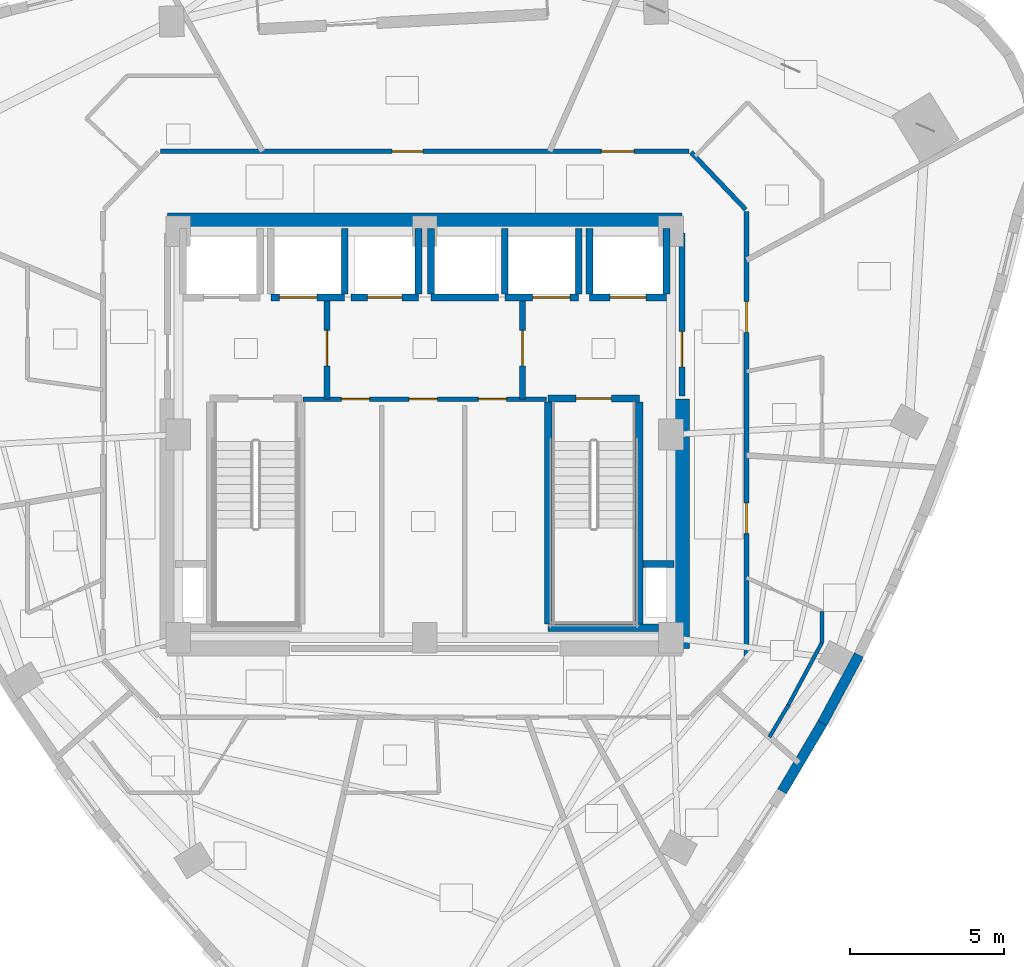
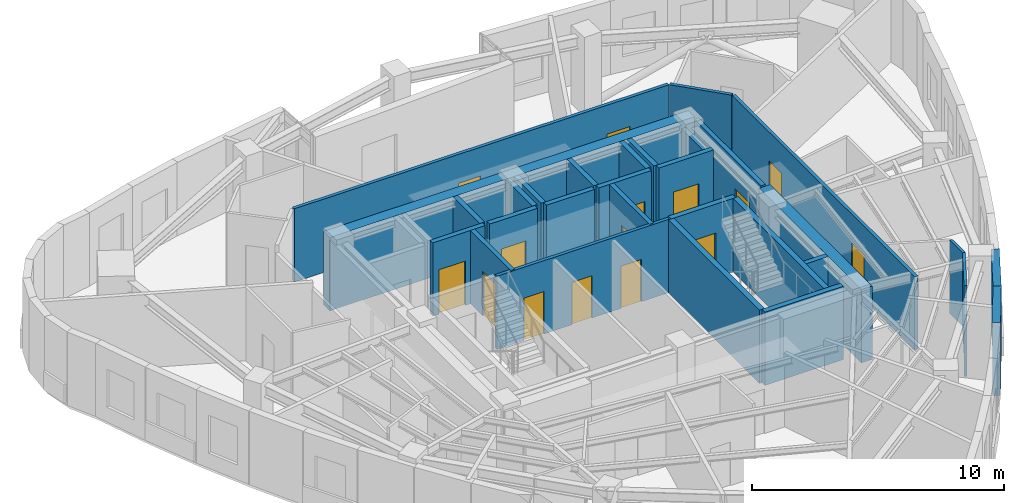
# One storey, part 7 of 12: 31 walls, 15 doors, 15 openings.
"""IFC4 building model written with IfcOpenShell, lengths in metres."""

import ifcopenshell
import ifcopenshell.guid

model = None  # the IFC model being written
_history = None  # IfcOwnerHistory: only IFC2X3 demands one
_inside = {}  # id of a spatial element -> (the spatial element, [elements in it])
_under = {}  # id of a project, library or spatial element -> (it, [spatial elements below it])
_declared = {}  # id of a project -> (the project, [libraries it declares])
_typed = {}  # id of a type object -> (the type object, [elements of that type])
_made_of = {}  # id of a material, layer set ... -> (it, [elements and type objects made of it])


def new_model(schema):
    """Start an empty IFC model of exactly this schema.

    Asked for "IFC4X3", IfcOpenShell would pick the latest addendum, in which some entities
    have other attributes; the version numbers below select the first issue.
    IFC2X3 requires an IfcOwnerHistory on every rooted entity: one is made here for all.
    """
    global model, _history
    if schema == "IFC4X3":
        model = ifcopenshell.file(schema_version=(4, 3, 0, 0))
    else:
        model = ifcopenshell.file(schema=schema)
    _inside.clear()
    _under.clear()
    _declared.clear()
    _typed.clear()
    _made_of.clear()
    _history = None
    if model.schema == "IFC2X3":
        org = make("IfcOrganization", Name="unknown")
        user = make(
            "IfcPersonAndOrganization",
            ThePerson=make("IfcPerson", FamilyName="unknown"),
            TheOrganization=org,
        )
        app = make(
            "IfcApplication",
            ApplicationDeveloper=org,
            Version="unknown",
            ApplicationFullName="unknown",
            ApplicationIdentifier="unknown",
        )
        _history = make(
            "IfcOwnerHistory",
            OwningUser=user,
            OwningApplication=app,
            ChangeAction="ADDED",
            CreationDate=0,
        )
    return model


def make(cls, **values):
    """One entity of the class cls with the attributes given. An attribute that is None is left unset."""
    return model.create_entity(
        cls, **{name: value for name, value in values.items() if value is not None}
    )


def rooted(cls, **values):
    """An entity with a GlobalId (a new one), such as an element, a storey or a relation."""
    return make(cls, GlobalId=ifcopenshell.guid.new(), OwnerHistory=_history, **values)


def si_unit(unit_type, name, prefix=None):
    """IfcSIUnit, for example si_unit("LENGTHUNIT", "METRE", prefix="MILLI")."""
    return make("IfcSIUnit", UnitType=unit_type, Prefix=prefix, Name=name)


def assignment(units):
    """IfcUnitAssignment: the units of a project."""
    return None if units is None else make("IfcUnitAssignment", Units=units)


def point(xyz):
    """IfcCartesianPoint."""
    return None if xyz is None else make("IfcCartesianPoint", Coordinates=xyz)


def direction(xyz):
    """IfcDirection."""
    return None if xyz is None else make("IfcDirection", DirectionRatios=xyz)


def frame(location, z_axis=None, x_axis=None):
    """IfcAxis2Placement3D, a coordinate frame: its origin and axes. An axis left out is left unset."""
    return make(
        "IfcAxis2Placement3D",
        Location=point(location),
        Axis=direction(z_axis),
        RefDirection=direction(x_axis),
    )


def frame_2d(location, x_axis=None):
    """IfcAxis2Placement2D, a coordinate frame in the plane: its origin and x axis."""
    return make(
        "IfcAxis2Placement2D", Location=point(location), RefDirection=direction(x_axis)
    )


def origin():
    """The frame at (0, 0, 0) with its axes left unset."""
    return frame((0.0, 0.0, 0.0))


def place(relative_to, where):
    """IfcLocalPlacement: puts the frame where relative to a parent placement (None: the world)."""
    return make(
        "IfcLocalPlacement", PlacementRelTo=relative_to, RelativePlacement=where
    )


def context(
    kind, dimensions, precision=None, world=None, true_north=None, identifier=None
):
    """IfcGeometricRepresentationContext, for example the 3D "Model" context."""
    return make(
        "IfcGeometricRepresentationContext",
        ContextIdentifier=identifier,
        ContextType=kind,
        CoordinateSpaceDimension=dimensions,
        Precision=precision,
        WorldCoordinateSystem=world,
        TrueNorth=true_north,
    )


def subcontext(parent, identifier, kind, view, scale=None):
    """IfcGeometricRepresentationSubContext, for example "Body" below "Model"."""
    return make(
        "IfcGeometricRepresentationSubContext",
        ContextIdentifier=identifier,
        ContextType=kind,
        ParentContext=parent,
        TargetScale=scale,
        TargetView=view,
    )


def project(units=None, contexts=None):
    """IfcProject with its units and contexts."""
    return rooted(
        "IfcProject",
        Name="project",
        RepresentationContexts=contexts,
        UnitsInContext=assignment(units),
    )


def spatial(cls, under=None, at=None, **own):
    """A site, building, storey or space (cls), placed at a placement, below another one or the project."""
    s = rooted(cls, ObjectPlacement=at, **own)
    if under is not None:
        _under.setdefault(under.id(), (under, []))[1].append(s)
    return s


def profile(cls, at=None, kind="AREA", **sizes):
    """A parametric profile (cls). Its sizes go by their IFC names, for example OverallWidth=200.0."""
    return make(cls, ProfileType=kind, Position=at, **sizes)


def rectangle(**sizes):
    """IfcRectangleProfileDef."""
    return profile("IfcRectangleProfileDef", **sizes)


def extrude(swept, where, along, depth):
    """IfcExtrudedAreaSolid: the profile swept, set in the frame where, extruded along a direction by depth."""
    return make(
        "IfcExtrudedAreaSolid",
        SweptArea=swept,
        Position=where,
        ExtrudedDirection=direction(along),
        Depth=depth,
    )


def shape(context_of_items, identifier, shape_type, items):
    """IfcShapeRepresentation: the items that make up one representation, for example the "Body"."""
    return make(
        "IfcShapeRepresentation",
        ContextOfItems=context_of_items,
        RepresentationIdentifier=identifier,
        RepresentationType=shape_type,
        Items=items,
    )


def material(Name=None, Category=None):
    """IfcMaterial."""
    return make("IfcMaterial", Name=Name, Category=Category)


def layer(
    of_material, thickness, ventilated=None, Name=None, Category=None, Priority=None
):
    """IfcMaterialLayer: one layer of a wall or slab, of a material (None: an air gap)."""
    return make(
        "IfcMaterialLayer",
        Material=of_material,
        LayerThickness=thickness,
        IsVentilated=ventilated,
        Name=Name,
        Category=Category,
        Priority=Priority,
    )


def layer_set(layers, Name=None):
    """IfcMaterialLayerSet."""
    return make("IfcMaterialLayerSet", MaterialLayers=layers, LayerSetName=Name)


def made_of(thing, what):
    """Note that an element or type object is made of a material, layer set ...; save() writes the relation."""
    if what is not None:
        _made_of.setdefault(what.id(), (what, []))[1].append(thing)
    return thing


def type_object(cls, material=None, **own):
    """A type object (cls), such as IfcWallType, which elements share."""
    return made_of(rooted(cls, **own), material)


def element(
    cls,
    number,
    at=None,
    inside=None,
    cuts=None,
    type_object=None,
    material=None,
    context=None,
    identifier="Body",
    shape_type=None,
    held_by="IfcProductDefinitionShape",
    body=None,
    shapes=None,
    **own,
):
    """One element of the class cls, such as IfcWall. Its Tag is "e" and its number.

    at: its placement. inside: the storey or other place that contains it. cuts: it is an
    opening in that element (IfcRelVoidsElement). A single representation is given by context,
    identifier, shape_type and body (its items); several are given by shapes. held_by: the class
    of the entity that holds the representations. save() writes the other relations.
    """
    e = rooted(cls, Tag="e%d" % number, ObjectPlacement=at, **own)
    if body is not None:
        shapes = [shape(context, identifier, shape_type, body)]
    if shapes is not None:
        e.Representation = make(held_by, Representations=shapes)
    if inside is not None:
        _inside.setdefault(inside.id(), (inside, []))[1].append(e)
    if cuts is not None:
        rooted(
            "IfcRelVoidsElement", RelatingBuildingElement=cuts, RelatedOpeningElement=e
        )
    if type_object is not None:
        _typed.setdefault(type_object.id(), (type_object, []))[1].append(e)
    return made_of(e, material)


def fill(opening, filler):
    """IfcRelFillsElement: the door or window that sits in an opening."""
    return rooted(
        "IfcRelFillsElement",
        RelatingOpeningElement=opening,
        RelatedBuildingElement=filler,
    )


def aggregate(whole, parts):
    """IfcRelAggregates: a whole, such as a stair, and the parts it consists of."""
    return rooted("IfcRelAggregates", RelatingObject=whole, RelatedObjects=parts)


def save(model, path):
    """Write the relations noted so far, then the file.

    IfcRelAggregates (storeys below a building ...), IfcRelContainedInSpatialStructure (elements
    in a storey), IfcRelDefinesByType, IfcRelAssociatesMaterial and IfcRelDeclares: one each for
    every whole, place, type object, material and project.
    """
    for whole, parts in _under.values():
        aggregate(whole, parts)
    for where, things in _inside.values():
        rooted(
            "IfcRelContainedInSpatialStructure",
            RelatedElements=things,
            RelatingStructure=where,
        )
    for kind, things in _typed.values():
        rooted("IfcRelDefinesByType", RelatedObjects=things, RelatingType=kind)
    for what, things in _made_of.values():
        rooted("IfcRelAssociatesMaterial", RelatedObjects=things, RelatingMaterial=what)
    for by, libraries in _declared.values():
        rooted("IfcRelDeclares", RelatingContext=by, RelatedDefinitions=libraries)
    model.write(path)


model = new_model("IFC4")

# Units and contexts
model_context = context("Model", 3, precision=1e-05, world=origin(), true_north=direction((0.0, 1.0)))
body_context = subcontext(model_context, "Body", "Model", "MODEL_VIEW")
ifc_project = project(units=[si_unit("LENGTHUNIT", "METRE"), si_unit("AREAUNIT", "SQUARE_METRE"), si_unit("VOLUMEUNIT", "CUBIC_METRE"), si_unit("PLANEANGLEUNIT", "RADIAN"), si_unit("MASSUNIT", "GRAM", prefix="KILO")], contexts=[model_context])

# Site, building, storey
site_placement = place(None, origin())
site = spatial("IfcSite", under=ifc_project, at=site_placement, CompositionType="ELEMENT")
building_placement = place(site_placement, origin())
building = spatial("IfcBuilding", under=site, at=building_placement, Name="Ndelora Gate Hotel", CompositionType="ELEMENT")
storey_placement = place(building_placement, frame((0.0, 0.0, 220.75)))
storey = spatial("IfcBuildingStorey", under=building, at=storey_placement, Name="L55", CompositionType="ELEMENT", Elevation=220.75)

# Walls
ifc_material_1 = material(Name="Clay Brick Masonry", Category="masonry")
ifc_layer_1 = layer(ifc_material_1, 0.330078125)
ifc_layer_set_1 = layer_set([ifc_layer_1], Name="Clay Brick Masonry")
wall_type_1 = type_object("IfcWallType", Name="WL-BRICK-330", PredefinedType="SOLIDWALL", material=ifc_layer_set_1)
wall_1_placement = place(storey_placement, frame((12.9140625, -9.37548828125, 0.0), z_axis=(0.0, 0.0, 1.0), x_axis=(-0.509023691709, -0.860752508727, 0.0)))
element("IfcWall", 1, at=wall_1_placement, inside=storey, type_object=wall_type_1, Name="L55 Tower Brick Pier-and-Spandrel Wall TWR-33", PredefinedType="SOLIDWALL", context=body_context, shape_type="SweptSolid", body=[
    extrude(rectangle(XDim=2.5703125, YDim=0.330078125, at=frame_2d((1.28515625, 0.0))), origin(), (0.0, 0.0, 1.0), 3.550048828125),
])
wall_2_placement = place(storey_placement, frame((14.102294921875, -7.157470703125, 0.0), z_axis=(0.0, 0.0, 1.0), x_axis=(-0.472567241961, -0.881294616928, 0.0)))
element("IfcWall", 2, at=wall_2_placement, inside=storey, type_object=wall_type_1, Name="L55 Tower Brick Pier-and-Spandrel Wall TWR-34", PredefinedType="SOLIDWALL", context=body_context, shape_type="SweptSolid", body=[
    extrude(rectangle(XDim=2.566162109375, YDim=0.330078125, at=frame_2d((1.283203125, 0.0))), origin(), (0.0, 0.0, 1.0), 3.550048828125),
])
ifc_material_2 = material(Name="Concrete C50/60", Category="concrete")
ifc_layer_2 = layer(ifc_material_2, 0.5)
ifc_layer_set_2 = layer_set([ifc_layer_2], Name="Concrete C50/60")
wall_type_2 = type_object("IfcWallType", Name="WL-CORE-500", PredefinedType="SHEAR", material=ifc_layer_set_2)
wall_3_placement = place(storey_placement, frame((-8.35009765625, 6.949951171875, 0.0), z_axis=(0.0, 0.0, 1.0), x_axis=(1.0, 0.0, 0.0)))
element("IfcWall", 3, at=wall_3_placement, inside=storey, type_object=wall_type_2, Name="L55 Core Shear Wall N", PredefinedType="SHEAR", context=body_context, shape_type="SweptSolid", body=[
    extrude(rectangle(XDim=16.7001953125, YDim=0.5, at=frame_2d((8.35009765625, 0.0))), origin(), (0.0, 0.0, 1.0), 3.550048828125),
])
wall_4_placement = place(storey_placement, frame((8.35009765625, -6.949951171875, 0.0), z_axis=(0.0, 0.0, 1.0), x_axis=(0.0, 1.0, 0.0)))
element("IfcWall", 4, at=wall_4_placement, inside=storey, type_object=wall_type_2, Name="L55 Core Shear Wall E", PredefinedType="SHEAR", context=body_context, shape_type="SweptSolid", body=[
    extrude(rectangle(XDim=8.099853515625, YDim=0.5, at=frame_2d((4.0498046875, 0.0))), origin(), (0.0, 0.0, 1.0), 3.550048828125),
])

# Wall, opening, door
ifc_material_3 = material(Name="Concrete C40/50", Category="concrete")
ifc_layer_3 = layer(ifc_material_3, 0.199951171875)
ifc_layer_set_3 = layer_set([ifc_layer_3], Name="Concrete C40/50")
wall_type_3 = type_object("IfcWallType", Name="WL-FIRE-200", PredefinedType="PARTITIONING", material=ifc_layer_set_3)
wall_5_placement = place(storey_placement, frame((-3.179931640625, 1.14990234375, 0.0), z_axis=(0.0, 0.0, 1.0), x_axis=(0.0, 1.0, 0.0)))
wall_5 = element("IfcWall", 5, at=wall_5_placement, inside=storey, type_object=wall_type_3, Name="L55 Interior Wall IW-2", PredefinedType="PARTITIONING", context=body_context, shape_type="SweptSolid", body=[
    extrude(rectangle(XDim=3.300048828125, YDim=0.199951171875, at=frame_2d((1.64990234375, 0.0))), origin(), (0.0, 0.0, 1.0), 3.550048828125),
])
opening_1_placement = place(wall_5_placement, frame((1.080078125, 0.0, 0.0)))
opening_1 = element("IfcOpeningElement", 6, at=opening_1_placement, cuts=wall_5, Name="Opening FD1", PredefinedType="OPENING", context=body_context, shape_type="SweptSolid", body=[
    extrude(rectangle(XDim=1.14990234375, YDim=2.14990234375, at=frame_2d((0.574951171875, 1.074951171875))), frame((0.0, 0.10986328125, 0.0), z_axis=(0.0, -1.0, 0.0), x_axis=(1.0, 0.0, 0.0)), (0.0, 0.0, 1.0), 0.219970703125),
])
ifc_material_4 = material(Name="Fire-Rated Timber-Veneer Steel Core", Category="steel")
door_type_1 = type_object("IfcDoorType", Name="DR-FD60", OperationType="SINGLE_SWING_LEFT", PredefinedType="DOOR", material=ifc_material_4)
door_1_placement = place(opening_1_placement, origin())
door_1 = element("IfcDoor", 7, at=door_1_placement, inside=storey, type_object=door_type_1, Name="L55 Firefighting Lobby West Door", OperationType="SINGLE_SWING_RIGHT", OverallHeight=2.14990234375, OverallWidth=1.14990234375, PredefinedType="DOOR", context=body_context, shape_type="SweptSolid", body=[
    extrude(rectangle(XDim=1.14990234375, YDim=2.14990234375, at=frame_2d((0.574951171875, 1.074951171875))), frame((0.0, 0.02490234375, 0.0), z_axis=(0.0, -1.0, 0.0), x_axis=(1.0, 0.0, 0.0)), (0.0, 0.0, 1.0), 0.050048828125),
])
fill(opening_1, door_1)

wall_6_placement = place(storey_placement, frame((3.179931640625, 1.14990234375, 0.0), z_axis=(0.0, 0.0, 1.0), x_axis=(0.0, 1.0, 0.0)))
wall_6 = element("IfcWall", 8, at=wall_6_placement, inside=storey, type_object=wall_type_3, Name="L55 Interior Wall IW-2", PredefinedType="PARTITIONING", context=body_context, shape_type="SweptSolid", body=[
    extrude(rectangle(XDim=3.300048828125, YDim=0.199951171875, at=frame_2d((1.64990234375, 0.0))), origin(), (0.0, 0.0, 1.0), 3.550048828125),
])
opening_2_placement = place(wall_6_placement, frame((1.080078125, 0.0, 0.0)))
opening_2 = element("IfcOpeningElement", 9, at=opening_2_placement, cuts=wall_6, Name="Opening FD1", PredefinedType="OPENING", context=body_context, shape_type="SweptSolid", body=[
    extrude(rectangle(XDim=1.14990234375, YDim=2.14990234375, at=frame_2d((0.574951171875, 1.074951171875))), frame((0.0, 0.10986328125, 0.0), z_axis=(0.0, -1.0, 0.0), x_axis=(1.0, 0.0, 0.0)), (0.0, 0.0, 1.0), 0.219970703125),
])
door_2_placement = place(opening_2_placement, origin())
door_2 = element("IfcDoor", 10, at=door_2_placement, inside=storey, type_object=door_type_1, Name="L55 Firefighting Lobby East Door", OperationType="SINGLE_SWING_LEFT", OverallHeight=2.14990234375, OverallWidth=1.14990234375, PredefinedType="DOOR", context=body_context, shape_type="SweptSolid", body=[
    extrude(rectangle(XDim=1.14990234375, YDim=2.14990234375, at=frame_2d((0.574951171875, 1.074951171875))), frame((0.0, 0.02490234375, 0.0), z_axis=(0.0, -1.0, 0.0), x_axis=(1.0, 0.0, 0.0)), (0.0, 0.0, 1.0), 0.050048828125),
])
fill(opening_2, door_2)

wall_7_placement = place(storey_placement, frame((8.35009765625, 1.25, 0.0), z_axis=(0.0, 0.0, 1.0), x_axis=(0.0, 1.0, 0.0)))
wall_7 = element("IfcWall", 11, at=wall_7_placement, inside=storey, type_object=wall_type_3, Name="L55 Interior Wall IW-2", PredefinedType="PARTITIONING", context=body_context, shape_type="SweptSolid", body=[
    extrude(rectangle(XDim=5.300048828125, YDim=0.199951171875, at=frame_2d((2.64990234375, 0.0))), origin(), (0.0, 0.0, 1.0), 3.550048828125),
])
opening_3_placement = place(wall_7_placement, frame((0.949951171875, 0.0, 0.0)))
opening_3 = element("IfcOpeningElement", 12, at=opening_3_placement, cuts=wall_7, Name="Opening FD1", PredefinedType="OPENING", context=body_context, shape_type="SweptSolid", body=[
    extrude(rectangle(XDim=1.14990234375, YDim=2.14990234375, at=frame_2d((0.574951171875, 1.074951171875))), frame((0.0, 0.10986328125, 0.0), z_axis=(0.0, -1.0, 0.0), x_axis=(1.0, 0.0, 0.0)), (0.0, 0.0, 1.0), 0.219970703125),
])
door_3_placement = place(opening_3_placement, origin())
door_3 = element("IfcDoor", 13, at=door_3_placement, inside=storey, type_object=door_type_1, Name="L55 Firefighting Lobby East Corridor Door", OperationType="SINGLE_SWING_RIGHT", OverallHeight=2.14990234375, OverallWidth=1.14990234375, PredefinedType="DOOR", context=body_context, shape_type="SweptSolid", body=[
    extrude(rectangle(XDim=1.14990234375, YDim=2.14990234375, at=frame_2d((0.574951171875, 1.074951171875))), frame((0.0, 0.02490234375, 0.0), z_axis=(0.0, -1.0, 0.0), x_axis=(1.0, 0.0, 0.0)), (0.0, 0.0, 1.0), 0.050048828125),
])
fill(opening_3, door_3)

# Wall, openings, doors
ifc_material_5 = material(Name="Fire-Rated Gypsum Stud Partition", Category="gypsum")
ifc_layer_4 = layer(ifc_material_5, 0.14990234375)
ifc_layer_set_4 = layer_set([ifc_layer_4], Name="Fire-Rated Gypsum Stud Partition")
wall_type_4 = type_object("IfcWallType", Name="WL-PART-150", PredefinedType="PARTITIONING", material=ifc_layer_set_4)
wall_8_placement = place(storey_placement, frame((3.949951171875, 1.14990234375, 0.0), z_axis=(0.0, 0.0, 1.0), x_axis=(-1.0, 0.0, 0.0)))
wall_8 = element("IfcWall", 14, at=wall_8_placement, inside=storey, type_object=wall_type_4, Name="L55 Interior Wall IW-5", PredefinedType="PARTITIONING", context=body_context, shape_type="SweptSolid", body=[
    extrude(rectangle(XDim=7.89990234375, YDim=0.14990234375, at=frame_2d((3.949951171875, 0.0))), origin(), (0.0, 0.0, 1.0), 3.550048828125),
])
opening_4_placement = place(wall_8_placement, frame((5.739990234375, 0.0, 0.0)))
opening_4 = element("IfcOpeningElement", 15, at=opening_4_placement, cuts=wall_8, Name="Opening D04", PredefinedType="OPENING", context=body_context, shape_type="SweptSolid", body=[
    extrude(rectangle(XDim=0.919921875, YDim=2.050048828125, at=frame_2d((0.4599609375, 1.02490234375))), frame((0.0, 0.0849609375, 0.0), z_axis=(0.0, -1.0, 0.0), x_axis=(1.0, 0.0, 0.0)), (0.0, 0.0, 1.0), 0.169921875),
])
opening_5_placement = place(wall_8_placement, frame((3.5400390625, 0.0, 0.0)))
opening_5 = element("IfcOpeningElement", 16, at=opening_5_placement, cuts=wall_8, Name="Opening D04", PredefinedType="OPENING", context=body_context, shape_type="SweptSolid", body=[
    extrude(rectangle(XDim=0.919921875, YDim=2.050048828125, at=frame_2d((0.4599609375, 1.02490234375))), frame((0.0, 0.0849609375, 0.0), z_axis=(0.0, -1.0, 0.0), x_axis=(1.0, 0.0, 0.0)), (0.0, 0.0, 1.0), 0.169921875),
])
opening_6_placement = place(wall_8_placement, frame((1.2900390625, 0.0, 0.0)))
opening_6 = element("IfcOpeningElement", 17, at=opening_6_placement, cuts=wall_8, Name="Opening D04", PredefinedType="OPENING", context=body_context, shape_type="SweptSolid", body=[
    extrude(rectangle(XDim=0.919921875, YDim=2.050048828125, at=frame_2d((0.4599609375, 1.02490234375))), frame((0.0, 0.0849609375, 0.0), z_axis=(0.0, -1.0, 0.0), x_axis=(1.0, 0.0, 0.0)), (0.0, 0.0, 1.0), 0.169921875),
])
ifc_material_6 = material(Name="Painted Steel Core Service Door", Category="steel")
door_type_2 = type_object("IfcDoorType", Name="DR-SER-920", OperationType="SINGLE_SWING_LEFT", PredefinedType="DOOR", material=ifc_material_6)
door_4_placement = place(opening_4_placement, origin())
door_4 = element("IfcDoor", 18, at=door_4_placement, inside=storey, type_object=door_type_2, Name="L55 Core Cleaners Store Door", OperationType="SINGLE_SWING_LEFT", OverallHeight=2.050048828125, OverallWidth=0.919921875, PredefinedType="DOOR", context=body_context, shape_type="SweptSolid", body=[
    extrude(rectangle(XDim=0.919921875, YDim=2.050048828125, at=frame_2d((0.4599609375, 1.02490234375))), frame((0.0, 0.02490234375, 0.0), z_axis=(0.0, -1.0, 0.0), x_axis=(1.0, 0.0, 0.0)), (0.0, 0.0, 1.0), 0.050048828125),
])
fill(opening_4, door_4)
door_5_placement = place(opening_5_placement, origin())
door_5 = element("IfcDoor", 19, at=door_5_placement, inside=storey, type_object=door_type_2, Name="L55 Core Telecoms Equipment Room Door", OperationType="SINGLE_SWING_RIGHT", OverallHeight=2.050048828125, OverallWidth=0.919921875, PredefinedType="DOOR", context=body_context, shape_type="SweptSolid", body=[
    extrude(rectangle(XDim=0.919921875, YDim=2.050048828125, at=frame_2d((0.4599609375, 1.02490234375))), frame((0.0, 0.02490234375, 0.0), z_axis=(0.0, -1.0, 0.0), x_axis=(1.0, 0.0, 0.0)), (0.0, 0.0, 1.0), 0.050048828125),
])
fill(opening_5, door_5)
door_6_placement = place(opening_6_placement, origin())
door_6 = element("IfcDoor", 20, at=door_6_placement, inside=storey, type_object=door_type_2, Name="L55 Core Electrical Metering Room Door", OperationType="SINGLE_SWING_LEFT", OverallHeight=2.050048828125, OverallWidth=0.919921875, PredefinedType="DOOR", context=body_context, shape_type="SweptSolid", body=[
    extrude(rectangle(XDim=0.919921875, YDim=2.050048828125, at=frame_2d((0.4599609375, 1.02490234375))), frame((0.0, 0.02490234375, 0.0), z_axis=(0.0, -1.0, 0.0), x_axis=(1.0, 0.0, 0.0)), (0.0, 0.0, 1.0), 0.050048828125),
])
fill(opening_6, door_6)

wall_9_placement = place(storey_placement, frame((10.449951171875, 7.239990234375, 0.0), z_axis=(0.0, 0.0, 1.0), x_axis=(0.0, -1.0, 0.0)))
wall_9 = element("IfcWall", 21, at=wall_9_placement, inside=storey, type_object=wall_type_4, Name="L55 Interior Wall IW-5", PredefinedType="PARTITIONING", context=body_context, shape_type="SweptSolid", body=[
    extrude(rectangle(XDim=14.47998046875, YDim=0.14990234375, at=frame_2d((7.239990234375, 0.0))), origin(), (0.0, 0.0, 1.0), 3.550048828125),
])
opening_7_placement = place(wall_9_placement, frame((9.45947265625, 0.0, 0.0)))
opening_7 = element("IfcOpeningElement", 22, at=opening_7_placement, cuts=wall_9, Name="Opening D01", PredefinedType="OPENING", context=body_context, shape_type="SweptSolid", body=[
    extrude(rectangle(XDim=1.0, YDim=2.14990234375, at=frame_2d((0.5, 1.074951171875))), frame((0.0, 0.0849609375, 0.0), z_axis=(0.0, -1.0, 0.0), x_axis=(1.0, 0.0, 0.0)), (0.0, 0.0, 1.0), 0.169921875),
])
opening_8_placement = place(wall_9_placement, frame((2.921142578125, 0.0, 0.0)))
opening_8 = element("IfcOpeningElement", 23, at=opening_8_placement, cuts=wall_9, Name="Opening D01", PredefinedType="OPENING", context=body_context, shape_type="SweptSolid", body=[
    extrude(rectangle(XDim=1.0, YDim=2.14990234375, at=frame_2d((0.5, 1.074951171875))), frame((0.0, 0.0849609375, 0.0), z_axis=(0.0, -1.0, 0.0), x_axis=(1.0, 0.0, 0.0)), (0.0, 0.0, 1.0), 0.169921875),
])
ifc_material_7 = material(Name="Acoustic Hardwood Guest Entrance Door", Category="wood")
door_type_3 = type_object("IfcDoorType", Name="DR-COR-1000", OperationType="SINGLE_SWING_LEFT", PredefinedType="DOOR", material=ifc_material_7)
door_7_placement = place(opening_7_placement, origin())
door_7 = element("IfcDoor", 24, at=door_7_placement, inside=storey, type_object=door_type_3, Name="L55 Altitude King Guest Room 5801 Entrance Door", OperationType="SINGLE_SWING_LEFT", OverallHeight=2.14990234375, OverallWidth=1.0, PredefinedType="DOOR", context=body_context, shape_type="SweptSolid", body=[
    extrude(rectangle(XDim=1.0, YDim=2.14990234375, at=frame_2d((0.5, 1.074951171875))), frame((0.0, 0.02490234375, 0.0), z_axis=(0.0, -1.0, 0.0), x_axis=(1.0, 0.0, 0.0)), (0.0, 0.0, 1.0), 0.050048828125),
])
fill(opening_7, door_7)
door_8_placement = place(opening_8_placement, origin())
door_8 = element("IfcDoor", 25, at=door_8_placement, inside=storey, type_object=door_type_3, Name="L55 Altitude Twin Guest Room 5802 Entrance Door", OperationType="SINGLE_SWING_RIGHT", OverallHeight=2.14990234375, OverallWidth=1.0, PredefinedType="DOOR", context=body_context, shape_type="SweptSolid", body=[
    extrude(rectangle(XDim=1.0, YDim=2.14990234375, at=frame_2d((0.5, 1.074951171875))), frame((0.0, 0.02490234375, 0.0), z_axis=(0.0, -1.0, 0.0), x_axis=(1.0, 0.0, 0.0)), (0.0, 0.0, 1.0), 0.050048828125),
])
fill(opening_8, door_8)

# Wall
wall_10_placement = place(storey_placement, frame((8.647705078125, 9.1708984375, 0.0), z_axis=(0.0, 0.0, 1.0), x_axis=(0.689960858356, -0.723846678473, 0.0)))
element("IfcWall", 26, at=wall_10_placement, inside=storey, type_object=wall_type_4, Name="L55 Interior Wall IW-5", PredefinedType="PARTITIONING", context=body_context, shape_type="SweptSolid", body=[
    extrude(rectangle(XDim=2.572021484375, YDim=0.14990234375, at=frame_2d((1.2861328125, 0.0))), origin(), (0.0, 0.0, 1.0), 3.550048828125),
])

# Wall, openings, doors
wall_11_placement = place(storey_placement, frame((-8.580078125, 9.199951171875, 0.0), z_axis=(0.0, 0.0, 1.0), x_axis=(1.0, 0.0, 0.0)))
wall_11 = element("IfcWall", 27, at=wall_11_placement, inside=storey, type_object=wall_type_4, Name="L55 Interior Wall IW-5", PredefinedType="PARTITIONING", context=body_context, shape_type="SweptSolid", body=[
    extrude(rectangle(XDim=17.16015625, YDim=0.14990234375, at=frame_2d((8.580078125, 0.0))), origin(), (0.0, 0.0, 1.0), 3.550048828125),
])
opening_9_placement = place(wall_11_placement, frame((7.519775390625, 0.0, 0.0)))
opening_9 = element("IfcOpeningElement", 28, at=opening_9_placement, cuts=wall_11, Name="Opening D01", PredefinedType="OPENING", context=body_context, shape_type="SweptSolid", body=[
    extrude(rectangle(XDim=1.0, YDim=2.14990234375, at=frame_2d((0.5, 1.074951171875))), frame((0.0, 0.0849609375, 0.0), z_axis=(0.0, -1.0, 0.0), x_axis=(1.0, 0.0, 0.0)), (0.0, 0.0, 1.0), 0.169921875),
])
opening_10_placement = place(wall_11_placement, frame((14.318603515625, 0.0, 0.0)))
opening_10 = element("IfcOpeningElement", 29, at=opening_10_placement, cuts=wall_11, Name="Opening D07", PredefinedType="OPENING", context=body_context, shape_type="SweptSolid", body=[
    extrude(rectangle(XDim=1.06005859375, YDim=2.14990234375, at=frame_2d((0.530029296875, 1.074951171875))), frame((0.0, 0.0849609375, 0.0), z_axis=(0.0, -1.0, 0.0), x_axis=(1.0, 0.0, 0.0)), (0.0, 0.0, 1.0), 0.169921875),
])
door_9_placement = place(opening_9_placement, origin())
door_9 = element("IfcDoor", 30, at=door_9_placement, inside=storey, type_object=door_type_3, Name="L55 Sky Garden Tea Dining Room Entrance Door", OperationType="SINGLE_SWING_LEFT", OverallHeight=2.14990234375, OverallWidth=1.0, PredefinedType="DOOR", context=body_context, shape_type="SweptSolid", body=[
    extrude(rectangle(XDim=1.0, YDim=2.14990234375, at=frame_2d((0.5, 1.074951171875))), frame((0.0, 0.02490234375, 0.0), z_axis=(0.0, -1.0, 0.0), x_axis=(1.0, 0.0, 0.0)), (0.0, 0.0, 1.0), 0.050048828125),
])
fill(opening_9, door_9)
ifc_material_8 = material(Name="Diplomatic Suite Acoustic Entrance Door", Category="wood")
door_type_4 = type_object("IfcDoorType", Name="DR-SUITE-1060", OperationType="SINGLE_SWING_LEFT", PredefinedType="DOOR", material=ifc_material_8)
door_10_placement = place(opening_10_placement, origin())
door_10 = element("IfcDoor", 31, at=door_10_placement, inside=storey, type_object=door_type_4, Name="L55 Corner Sky Suite 5803 Entrance Door", OperationType="SINGLE_SWING_LEFT", OverallHeight=2.14990234375, OverallWidth=1.06005859375, PredefinedType="DOOR", context=body_context, shape_type="SweptSolid", body=[
    extrude(rectangle(XDim=1.06005859375, YDim=2.14990234375, at=frame_2d((0.530029296875, 1.074951171875))), frame((0.0, 0.02490234375, 0.0), z_axis=(0.0, -1.0, 0.0), x_axis=(1.0, 0.0, 0.0)), (0.0, 0.0, 1.0), 0.050048828125),
])
fill(opening_10, door_10)

# Wall
ifc_layer_5 = layer(ifc_material_3, 0.219970703125)
ifc_layer_set_5 = layer_set([ifc_layer_5], Name="Concrete C40/50")
wall_type_5 = type_object("IfcWallType", Name="WL-SHAFT-220", PredefinedType="PARTITIONING", material=ifc_layer_set_5)
wall_12_placement = place(storey_placement, frame((7.090087890625, -4.199951171875, 0.0), z_axis=(0.0, 0.0, 1.0), x_axis=(1.0, 0.0, 0.0)))
element("IfcWall", 32, at=wall_12_placement, inside=storey, type_object=wall_type_5, Name="L55 Interior Wall IW-1", PredefinedType="PARTITIONING", context=body_context, shape_type="SweptSolid", body=[
    extrude(rectangle(XDim=1.010009765625, YDim=0.219970703125, at=frame_2d((0.5048828125, 0.0))), origin(), (0.0, 0.0, 1.0), 3.550048828125),
])

# Wall, opening, door
wall_13_placement = place(storey_placement, frame((5.35009765625, 4.449951171875, 0.0), z_axis=(0.0, 0.0, 1.0), x_axis=(1.0, 0.0, 0.0)))
wall_13 = element("IfcWall", 33, at=wall_13_placement, inside=storey, type_object=wall_type_5, Name="L55 Interior Wall IW-1", PredefinedType="PARTITIONING", context=body_context, shape_type="SweptSolid", body=[
    extrude(rectangle(XDim=2.5, YDim=0.219970703125, at=frame_2d((1.25, 0.0))), origin(), (0.0, 0.0, 1.0), 3.550048828125),
])
opening_11_placement = place(wall_13_placement, frame((0.659912109375, 0.0, 0.0)))
opening_11 = element("IfcOpeningElement", 34, at=opening_11_placement, cuts=wall_13, Name="Opening LD5", PredefinedType="OPENING", context=body_context, shape_type="SweptSolid", body=[
    extrude(rectangle(XDim=1.179931640625, YDim=2.14990234375, at=frame_2d((0.58984375, 1.074951171875))), frame((0.0, 0.1201171875, 0.0), z_axis=(0.0, -1.0, 0.0), x_axis=(1.0, 0.0, 0.0)), (0.0, 0.0, 1.0), 0.239990234375),
])
ifc_material_9 = material(Name="Firefighting Lift Stainless Sliding Landing Door", Category="metal")
door_type_5 = type_object("IfcDoorType", Name="DR-LD5", OperationType="DOUBLE_DOOR_SLIDING", PredefinedType="DOOR", material=ifc_material_9)
door_11_placement = place(opening_11_placement, origin())
door_11 = element("IfcDoor", 35, at=door_11_placement, inside=storey, type_object=door_type_5, Name="L55 Lift Landing Sliding Door FFL2", OperationType="DOUBLE_DOOR_SLIDING", OverallHeight=2.14990234375, OverallWidth=1.179931640625, PredefinedType="DOOR", context=body_context, shape_type="SweptSolid", body=[
    extrude(rectangle(XDim=1.179931640625, YDim=2.14990234375, at=frame_2d((0.58984375, 1.074951171875))), frame((0.0, 0.02490234375, 0.0), z_axis=(0.0, -1.0, 0.0), x_axis=(1.0, 0.0, 0.0)), (0.0, 0.0, 1.0), 0.050048828125),
])
fill(opening_11, door_11)

# Walls
wall_14_placement = place(storey_placement, frame((5.35009765625, 4.570068359375, 0.0), z_axis=(0.0, 0.0, 1.0), x_axis=(0.0, 1.0, 0.0)))
element("IfcWall", 36, at=wall_14_placement, inside=storey, type_object=wall_type_5, Name="L55 Interior Wall IW-1", PredefinedType="PARTITIONING", context=body_context, shape_type="SweptSolid", body=[
    extrude(rectangle(XDim=2.1298828125, YDim=0.219970703125, at=frame_2d((1.06494140625, 0.0))), origin(), (0.0, 0.0, 1.0), 3.550048828125),
])
wall_15_placement = place(storey_placement, frame((7.85009765625, 4.570068359375, 0.0), z_axis=(0.0, 0.0, 1.0), x_axis=(0.0, 1.0, 0.0)))
element("IfcWall", 37, at=wall_15_placement, inside=storey, type_object=wall_type_5, Name="L55 Interior Wall IW-1", PredefinedType="PARTITIONING", context=body_context, shape_type="SweptSolid", body=[
    extrude(rectangle(XDim=2.1298828125, YDim=0.219970703125, at=frame_2d((1.06494140625, 0.0))), origin(), (0.0, 0.0, 1.0), 3.179931640625),
])

# Wall, opening, door
wall_16_placement = place(storey_placement, frame((-5.0, 4.449951171875, 0.0), z_axis=(0.0, 0.0, 1.0), x_axis=(1.0, 0.0, 0.0)))
wall_16 = element("IfcWall", 38, at=wall_16_placement, inside=storey, type_object=wall_type_5, Name="L55 Interior Wall IW-1", PredefinedType="PARTITIONING", context=body_context, shape_type="SweptSolid", body=[
    extrude(rectangle(XDim=2.39990234375, YDim=0.219970703125, at=frame_2d((1.199951171875, 0.0))), origin(), (0.0, 0.0, 1.0), 3.550048828125),
])
opening_12_placement = place(wall_16_placement, frame((0.280029296875, 0.0, 0.0)))
opening_12 = element("IfcOpeningElement", 39, at=opening_12_placement, cuts=wall_16, Name="Opening LD6", PredefinedType="OPENING", context=body_context, shape_type="SweptSolid", body=[
    extrude(rectangle(XDim=1.219970703125, YDim=2.14990234375, at=frame_2d((0.60986328125, 1.074951171875))), frame((0.0, 0.1201171875, 0.0), z_axis=(0.0, -1.0, 0.0), x_axis=(1.0, 0.0, 0.0)), (0.0, 0.0, 1.0), 0.239990234375),
])
ifc_material_10 = material(Name="Heavy-Duty Service Lift Sliding Landing Door", Category="wood")
door_type_6 = type_object("IfcDoorType", Name="DR-LD6", OperationType="DOUBLE_DOOR_SLIDING", PredefinedType="DOOR", material=ifc_material_10)
door_12_placement = place(opening_12_placement, origin())
door_12 = element("IfcDoor", 40, at=door_12_placement, inside=storey, type_object=door_type_6, Name="L55 Lift Landing Sliding Door SVL1", OperationType="DOUBLE_DOOR_SLIDING", OverallHeight=2.14990234375, OverallWidth=1.219970703125, PredefinedType="DOOR", context=body_context, shape_type="SweptSolid", body=[
    extrude(rectangle(XDim=1.219970703125, YDim=2.14990234375, at=frame_2d((0.60986328125, 1.074951171875))), frame((0.0, 0.02490234375, 0.0), z_axis=(0.0, -1.0, 0.0), x_axis=(1.0, 0.0, 0.0)), (0.0, 0.0, 1.0), 0.050048828125),
])
fill(opening_12, door_12)

# Wall
wall_17_placement = place(storey_placement, frame((-2.60009765625, 4.570068359375, 0.0), z_axis=(0.0, 0.0, 1.0), x_axis=(0.0, 1.0, 0.0)))
element("IfcWall", 41, at=wall_17_placement, inside=storey, type_object=wall_type_5, Name="L55 Interior Wall IW-1", PredefinedType="PARTITIONING", context=body_context, shape_type="SweptSolid", body=[
    extrude(rectangle(XDim=2.1298828125, YDim=0.219970703125, at=frame_2d((1.06494140625, 0.0))), origin(), (0.0, 0.0, 1.0), 3.550048828125),
])

# Wall, opening, door
wall_18_placement = place(storey_placement, frame((2.60009765625, 4.449951171875, 0.0), z_axis=(0.0, 0.0, 1.0), x_axis=(1.0, 0.0, 0.0)))
wall_18 = element("IfcWall", 42, at=wall_18_placement, inside=storey, type_object=wall_type_5, Name="L55 Interior Wall IW-1", PredefinedType="PARTITIONING", context=body_context, shape_type="SweptSolid", body=[
    extrude(rectangle(XDim=2.39990234375, YDim=0.219970703125, at=frame_2d((1.199951171875, 0.0))), origin(), (0.0, 0.0, 1.0), 3.550048828125),
])
opening_13_placement = place(wall_18_placement, frame((0.89990234375, 0.0, 0.0)))
opening_13 = element("IfcOpeningElement", 43, at=opening_13_placement, cuts=wall_18, Name="Opening LD6", PredefinedType="OPENING", context=body_context, shape_type="SweptSolid", body=[
    extrude(rectangle(XDim=1.219970703125, YDim=2.14990234375, at=frame_2d((0.60986328125, 1.074951171875))), frame((0.0, 0.1201171875, 0.0), z_axis=(0.0, -1.0, 0.0), x_axis=(1.0, 0.0, 0.0)), (0.0, 0.0, 1.0), 0.239990234375),
])
door_13_placement = place(opening_13_placement, origin())
door_13 = element("IfcDoor", 44, at=door_13_placement, inside=storey, type_object=door_type_6, Name="L55 Lift Landing Sliding Door SVL2", OperationType="DOUBLE_DOOR_SLIDING", OverallHeight=2.14990234375, OverallWidth=1.219970703125, PredefinedType="DOOR", context=body_context, shape_type="SweptSolid", body=[
    extrude(rectangle(XDim=1.219970703125, YDim=2.14990234375, at=frame_2d((0.60986328125, 1.074951171875))), frame((0.0, 0.02490234375, 0.0), z_axis=(0.0, -1.0, 0.0), x_axis=(1.0, 0.0, 0.0)), (0.0, 0.0, 1.0), 0.050048828125),
])
fill(opening_13, door_13)

# Walls
for number, where, z_axis, x_axis, name in (
    (45, (2.60009765625, 4.570068359375, 0.0), (0.0, 0.0, 1.0), (0.0, 1.0, 0.0), "L55 Interior Wall IW-1"),
    (46, (5.0, 4.570068359375, 0.0), (0.0, 0.0, 1.0), (0.0, 1.0, 0.0), "L55 Interior Wall IW-1"),
):
    element("IfcWall", number, at=place(storey_placement, frame(where, z_axis=z_axis, x_axis=x_axis)), inside=storey, type_object=wall_type_5, Name=name, PredefinedType="PARTITIONING", context=body_context, shape_type="SweptSolid", body=[
        extrude(rectangle(XDim=2.1298828125, YDim=0.219970703125, at=frame_2d((1.06494140625, 0.0))), origin(), (0.0, 0.0, 1.0), 3.550048828125),
    ])

# Wall, opening, door
wall_19_placement = place(storey_placement, frame((-2.39990234375, 4.449951171875, 0.0), z_axis=(0.0, 0.0, 1.0), x_axis=(1.0, 0.0, 0.0)))
wall_19 = element("IfcWall", 47, at=wall_19_placement, inside=storey, type_object=wall_type_5, Name="L55 Interior Wall IW-1", PredefinedType="PARTITIONING", context=body_context, shape_type="SweptSolid", body=[
    extrude(rectangle(XDim=2.199951171875, YDim=0.219970703125, at=frame_2d((1.10009765625, 0.0))), origin(), (0.0, 0.0, 1.0), 3.550048828125),
])
opening_14_placement = place(wall_19_placement, frame((0.5400390625, 0.0, 0.0)))
opening_14 = element("IfcOpeningElement", 48, at=opening_14_placement, cuts=wall_19, Name="Opening LD3", PredefinedType="OPENING", context=body_context, shape_type="SweptSolid", body=[
    extrude(rectangle(XDim=1.1201171875, YDim=2.14990234375, at=frame_2d((0.56005859375, 1.074951171875))), frame((0.0, 0.1201171875, 0.0), z_axis=(0.0, -1.0, 0.0), x_axis=(1.0, 0.0, 0.0)), (0.0, 0.0, 1.0), 0.239990234375),
])
ifc_material_11 = material(Name="Brushed Bronze Stainless Lift Landing Door", Category="metal")
door_type_7 = type_object("IfcDoorType", Name="DR-LD3", OperationType="DOUBLE_DOOR_SLIDING", PredefinedType="DOOR", material=ifc_material_11)
door_14_placement = place(opening_14_placement, origin())
door_14 = element("IfcDoor", 49, at=door_14_placement, inside=storey, type_object=door_type_7, Name="L55 Lift Landing Sliding Door P3A", OperationType="DOUBLE_DOOR_SLIDING", OverallHeight=2.14990234375, OverallWidth=1.1201171875, PredefinedType="DOOR", context=body_context, shape_type="SweptSolid", body=[
    extrude(rectangle(XDim=1.1201171875, YDim=2.14990234375, at=frame_2d((0.56005859375, 1.074951171875))), frame((0.0, 0.02490234375, 0.0), z_axis=(0.0, -1.0, 0.0), x_axis=(1.0, 0.0, 0.0)), (0.0, 0.0, 1.0), 0.050048828125),
])
fill(opening_14, door_14)

# Walls
wall_20_placement = place(storey_placement, frame((-0.199951171875, 4.570068359375, 0.0), z_axis=(0.0, 0.0, 1.0), x_axis=(0.0, 1.0, 0.0)))
element("IfcWall", 50, at=wall_20_placement, inside=storey, type_object=wall_type_5, Name="L55 Interior Wall IW-1", PredefinedType="PARTITIONING", context=body_context, shape_type="SweptSolid", body=[
    extrude(rectangle(XDim=2.1298828125, YDim=0.219970703125, at=frame_2d((1.06494140625, 0.0))), origin(), (0.0, 0.0, 1.0), 3.550048828125),
])
wall_21_placement = place(storey_placement, frame((0.199951171875, 4.449951171875, 0.0), z_axis=(0.0, 0.0, 1.0), x_axis=(1.0, 0.0, 0.0)))
element("IfcWall", 51, at=wall_21_placement, inside=storey, type_object=wall_type_5, Name="L55 Interior Wall IW-1", PredefinedType="PARTITIONING", context=body_context, shape_type="SweptSolid", body=[
    extrude(rectangle(XDim=2.199951171875, YDim=0.219970703125, at=frame_2d((1.10009765625, 0.0))), origin(), (0.0, 0.0, 1.0), 3.550048828125),
])
wall_22_placement = place(storey_placement, frame((0.199951171875, 4.570068359375, 0.0), z_axis=(0.0, 0.0, 1.0), x_axis=(0.0, 1.0, 0.0)))
element("IfcWall", 52, at=wall_22_placement, inside=storey, type_object=wall_type_5, Name="L55 Interior Wall IW-1", PredefinedType="PARTITIONING", context=body_context, shape_type="SweptSolid", body=[
    extrude(rectangle(XDim=2.1298828125, YDim=0.219970703125, at=frame_2d((1.06494140625, 0.0))), origin(), (0.0, 0.0, 1.0), 3.550048828125),
])
ifc_layer_6 = layer(ifc_material_2, 0.239990234375)
ifc_layer_set_6 = layer_set([ifc_layer_6], Name="Concrete C50/60")
wall_type_6 = type_object("IfcWallType", Name="WL-STAIR-240", PredefinedType="SHEAR", material=ifc_layer_set_6)
for number, where, z_axis, x_axis, name in (
    (53, (4.010009765625, -6.159912109375, 0.0), (0.0, 0.0, 1.0), (0.0, 1.0, 0.0), "L55 Stair Core Shear Wall SW-ST"),
    (54, (6.969970703125, -6.159912109375, 0.0), (0.0, 0.0, 1.0), (0.0, 1.0, 0.0), "L55 Stair Core Shear Wall SW-ST"),
):
    element("IfcWall", number, at=place(storey_placement, frame(where, z_axis=z_axis, x_axis=x_axis)), inside=storey, type_object=wall_type_6, Name=name, PredefinedType="SHEAR", context=body_context, shape_type="SweptSolid", body=[
        extrude(rectangle(XDim=7.219970703125, YDim=0.239990234375, at=frame_2d((3.60986328125, 0.0))), origin(), (0.0, 0.0, 1.0), 3.550048828125),
    ])
wall_23_placement = place(storey_placement, frame((4.010009765625, -6.27001953125, 0.0), z_axis=(0.0, 0.0, 1.0), x_axis=(1.0, 0.0, 0.0)))
element("IfcWall", 55, at=wall_23_placement, inside=storey, type_object=wall_type_6, Name="L55 Stair Core Shear Wall SW-ST", PredefinedType="SHEAR", context=body_context, shape_type="SweptSolid", body=[
    extrude(rectangle(XDim=3.590087890625, YDim=0.239990234375, at=frame_2d((1.794921875, 0.0))), origin(), (0.0, 0.0, 1.0), 3.550048828125),
])

# Wall, opening, door
wall_24_placement = place(storey_placement, frame((4.010009765625, 1.169921875, 0.0), z_axis=(0.0, 0.0, 1.0), x_axis=(1.0, 0.0, 0.0)))
wall_24 = element("IfcWall", 56, at=wall_24_placement, inside=storey, type_object=wall_type_6, Name="L55 Stair Core Shear Wall SW-ST", PredefinedType="SHEAR", context=body_context, shape_type="SweptSolid", body=[
    extrude(rectangle(XDim=2.9599609375, YDim=0.239990234375, at=frame_2d((1.47998046875, 0.0))), origin(), (0.0, 0.0, 1.0), 3.550048828125),
])
opening_15_placement = place(wall_24_placement, frame((0.89990234375, 0.0, 0.0)))
opening_15 = element("IfcOpeningElement", 57, at=opening_15_placement, cuts=wall_24, Name="Opening FD1", PredefinedType="OPENING", context=body_context, shape_type="SweptSolid", body=[
    extrude(rectangle(XDim=1.14990234375, YDim=2.14990234375, at=frame_2d((0.574951171875, 1.074951171875))), frame((0.0, 0.1298828125, 0.0), z_axis=(0.0, -1.0, 0.0), x_axis=(1.0, 0.0, 0.0)), (0.0, 0.0, 1.0), 0.260009765625),
])
door_15_placement = place(opening_15_placement, origin())
door_15 = element("IfcDoor", 58, at=door_15_placement, inside=storey, type_object=door_type_1, Name="L55 Exit Stair ST5 Door", OperationType="SINGLE_SWING_RIGHT", OverallHeight=2.14990234375, OverallWidth=1.14990234375, PredefinedType="DOOR", context=body_context, shape_type="SweptSolid", body=[
    extrude(rectangle(XDim=1.14990234375, YDim=2.14990234375, at=frame_2d((0.574951171875, 1.074951171875))), frame((0.0, 0.02490234375, 0.0), z_axis=(0.0, -1.0, 0.0), x_axis=(1.0, 0.0, 0.0)), (0.0, 0.0, 1.0), 0.050048828125),
])
fill(opening_15, door_15)

# Walls
ifc_material_12 = material(Name="Moisture-Resistant Bathroom Tile Partition", Category="gypsum")
ifc_layer_7 = layer(ifc_material_12, 0.1201171875)
ifc_layer_set_7 = layer_set([ifc_layer_7], Name="Moisture-Resistant Bathroom Tile Partition")
wall_type_7 = type_object("IfcWallType", Name="WL-WET-120", PredefinedType="PARTITIONING", material=ifc_layer_set_7)
wall_25_placement = place(storey_placement, frame((12.89990234375, -5.739013671875, 0.0), z_axis=(0.0, 0.0, 1.0), x_axis=(0.0, -1.0, 0.0)))
element("IfcWall", 59, at=wall_25_placement, inside=storey, type_object=wall_type_7, Name="L55 Interior Wall IW-7", PredefinedType="PARTITIONING", context=body_context, shape_type="SweptSolid", body=[
    extrude(rectangle(XDim=1.015380859375, YDim=0.1201171875, at=frame_2d((0.5078125, 0.0))), origin(), (0.0, 0.0, 1.0), 3.550048828125),
])
wall_26_placement = place(storey_placement, frame((11.812255859375, -8.783203125, 0.0), z_axis=(0.0, 0.0, 1.0), x_axis=(0.472486272228, 0.881338029678, 0.0)))
element("IfcWall", 60, at=wall_26_placement, inside=storey, type_object=wall_type_7, Name="L55 Interior Wall IW-7", PredefinedType="PARTITIONING", context=body_context, shape_type="SweptSolid", body=[
    extrude(rectangle(XDim=2.302001953125, YDim=0.1201171875, at=frame_2d((1.15087890625, 0.0))), origin(), (0.0, 0.0, 1.0), 3.550048828125),
])
wall_27_placement = place(storey_placement, frame((11.19677734375, -9.82373046875, 0.0), z_axis=(0.0, 0.0, 1.0), x_axis=(0.509110272453, 0.860701301546, 0.0)))
element("IfcWall", 61, at=wall_27_placement, inside=storey, type_object=wall_type_7, Name="L55 Interior Wall IW-7", PredefinedType="PARTITIONING", context=body_context, shape_type="SweptSolid", body=[
    extrude(rectangle(XDim=1.208984375, YDim=0.1201171875, at=frame_2d((0.6044921875, 0.0))), origin(), (0.0, 0.0, 1.0), 2.97998046875),
])

save(model, "model.ifc")
